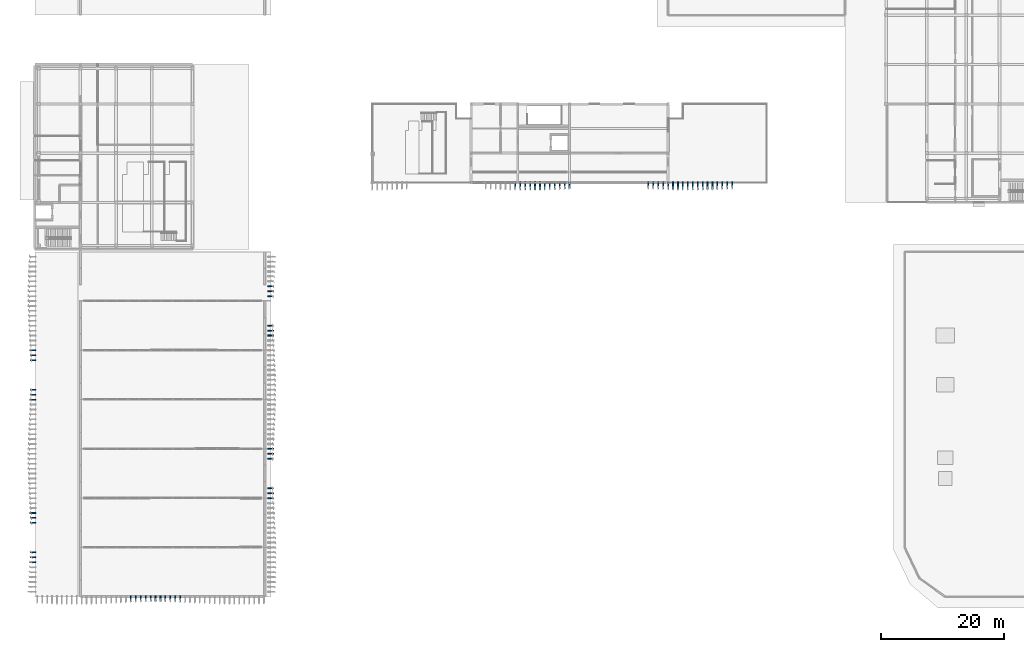
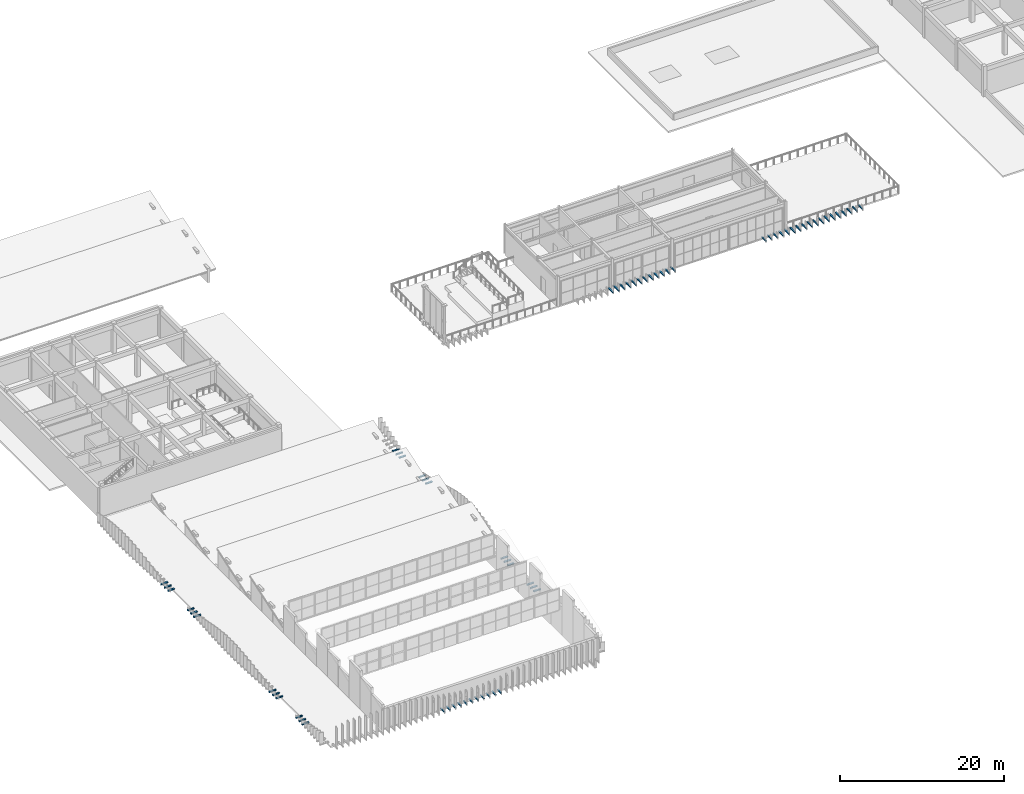
# One storey, part 35 of 45: 65 discrete accessories.
"""IFC4 building model written with IfcOpenShell, lengths in metres."""

from ifc_helpers import new_model, si_unit, direction, frame, origin, origin_2d, place, context, subcontext, project, spatial, rectangle, extrude, material, type_object, element, save


model = new_model("IFC4")

# Units and contexts
model_context = context("Model", 3, precision=1e-05, world=origin(), true_north=direction((0.0, 1.0)))
body_context = subcontext(model_context, "Body", "Model", "MODEL_VIEW")
ifc_project = project(units=[si_unit("LENGTHUNIT", "METRE"), si_unit("AREAUNIT", "SQUARE_METRE"), si_unit("VOLUMEUNIT", "CUBIC_METRE"), si_unit("PLANEANGLEUNIT", "RADIAN"), si_unit("MASSUNIT", "GRAM", prefix="KILO")], contexts=[model_context])

# Site, building, storey
site_placement = place(None, origin())
site = spatial("IfcSite", under=ifc_project, at=site_placement, CompositionType="ELEMENT")
building_placement = place(site_placement, origin())
building = spatial("IfcBuilding", under=site, at=building_placement, Name="Cinchona Park Media Centre", CompositionType="ELEMENT")
storey_placement = place(building_placement, frame((0.0, 0.0, 20.39990234375)))
storey = spatial("IfcBuildingStorey", under=building, at=storey_placement, Name="L04", CompositionType="ELEMENT", Elevation=20.39990234375)

# Discrete accessories
ifc_material = material(Name="Steel S355", Category="steel")
discrete_accessory_type = type_object("IfcDiscreteAccessoryType", Name="BRACKET-BRK01", PredefinedType="BRACKET", material=ifc_material)
discrete_accessory_1_placement = place(storey_placement, frame((7.681884765625, 47.60009765625, 0.0400390625), z_axis=(0.0, 0.0, 1.0), x_axis=(0.0, -1.0, 0.0)))
element("IfcDiscreteAccessory", 1, at=discrete_accessory_1_placement, inside=storey, type_object=discrete_accessory_type, Name="Facade Fin Outrigger Bracket L04", PredefinedType="BRACKET", context=body_context, shape_type="SweptSolid", body=[
    extrude(rectangle(XDim=0.179931640625, YDim=0.9560546875, at=origin_2d()), origin(), (0.0, 0.0, 1.0), 0.159912109375),
])
discrete_accessory_2_placement = place(storey_placement, frame((7.697021484375, 46.800048828125, 0.0400390625), z_axis=(0.0, 0.0, 1.0), x_axis=(0.0, -1.0, 0.0)))
element("IfcDiscreteAccessory", 2, at=discrete_accessory_2_placement, inside=storey, type_object=discrete_accessory_type, Name="Facade Fin Outrigger Bracket L04", PredefinedType="BRACKET", context=body_context, shape_type="SweptSolid", body=[
    extrude(rectangle(XDim=0.179931640625, YDim=0.925048828125, at=origin_2d()), origin(), (0.0, 0.0, 1.0), 0.159912109375),
])
discrete_accessory_3_placement = place(storey_placement, frame((7.7109375, 46.0, 0.0400390625), z_axis=(0.0, 0.0, 1.0), x_axis=(0.0, -1.0, 0.0)))
element("IfcDiscreteAccessory", 3, at=discrete_accessory_3_placement, inside=storey, type_object=discrete_accessory_type, Name="Facade Fin Outrigger Bracket L04", PredefinedType="BRACKET", context=body_context, shape_type="SweptSolid", body=[
    extrude(rectangle(XDim=0.179931640625, YDim=0.89892578125, at=origin_2d()), origin(), (0.0, 0.0, 1.0), 0.159912109375),
])
discrete_accessory_4_placement = place(storey_placement, frame((7.716064453125, 41.199951171875, 0.0400390625), z_axis=(0.0, 0.0, 1.0), x_axis=(0.0, -1.0, 0.0)))
element("IfcDiscreteAccessory", 4, at=discrete_accessory_4_placement, inside=storey, type_object=discrete_accessory_type, Name="Facade Fin Outrigger Bracket L04", PredefinedType="BRACKET", context=body_context, shape_type="SweptSolid", body=[
    extrude(rectangle(XDim=0.179931640625, YDim=0.887939453125, at=origin_2d()), origin(), (0.0, 0.0, 1.0), 0.159912109375),
])
discrete_accessory_5_placement = place(storey_placement, frame((7.7041015625, 40.39990234375, 0.0400390625), z_axis=(0.0, 0.0, 1.0), x_axis=(0.0, -1.0, 0.0)))
element("IfcDiscreteAccessory", 5, at=discrete_accessory_5_placement, inside=storey, type_object=discrete_accessory_type, Name="Facade Fin Outrigger Bracket L04", PredefinedType="BRACKET", context=body_context, shape_type="SweptSolid", body=[
    extrude(rectangle(XDim=0.179931640625, YDim=0.910888671875, at=origin_2d()), origin(), (0.0, 0.0, 1.0), 0.159912109375),
])
discrete_accessory_6_placement = place(storey_placement, frame((7.68994140625, 39.60009765625, 0.0400390625), z_axis=(0.0, 0.0, 1.0), x_axis=(0.0, -1.0, 0.0)))
element("IfcDiscreteAccessory", 6, at=discrete_accessory_6_placement, inside=storey, type_object=discrete_accessory_type, Name="Facade Fin Outrigger Bracket L04", PredefinedType="BRACKET", context=body_context, shape_type="SweptSolid", body=[
    extrude(rectangle(XDim=0.179931640625, YDim=0.93994140625, at=origin_2d()), origin(), (0.0, 0.0, 1.0), 0.159912109375),
])
discrete_accessory_7_placement = place(storey_placement, frame((7.681884765625, 21.199951171875, 0.0400390625), z_axis=(0.0, 0.0, 1.0), x_axis=(0.0, -1.0, 0.0)))
element("IfcDiscreteAccessory", 7, at=discrete_accessory_7_placement, inside=storey, type_object=discrete_accessory_type, Name="Facade Fin Outrigger Bracket L04", PredefinedType="BRACKET", context=body_context, shape_type="SweptSolid", body=[
    extrude(rectangle(XDim=0.179931640625, YDim=0.9560546875, at=origin_2d()), origin(), (0.0, 0.0, 1.0), 0.159912109375),
])
discrete_accessory_8_placement = place(storey_placement, frame((7.697021484375, 20.39990234375, 0.0400390625), z_axis=(0.0, 0.0, 1.0), x_axis=(0.0, -1.0, 0.0)))
element("IfcDiscreteAccessory", 8, at=discrete_accessory_8_placement, inside=storey, type_object=discrete_accessory_type, Name="Facade Fin Outrigger Bracket L04", PredefinedType="BRACKET", context=body_context, shape_type="SweptSolid", body=[
    extrude(rectangle(XDim=0.179931640625, YDim=0.925048828125, at=origin_2d()), origin(), (0.0, 0.0, 1.0), 0.159912109375),
])
discrete_accessory_9_placement = place(storey_placement, frame((7.7109375, 19.60009765625, 0.0400390625), z_axis=(0.0, 0.0, 1.0), x_axis=(0.0, -1.0, 0.0)))
element("IfcDiscreteAccessory", 9, at=discrete_accessory_9_placement, inside=storey, type_object=discrete_accessory_type, Name="Facade Fin Outrigger Bracket L04", PredefinedType="BRACKET", context=body_context, shape_type="SweptSolid", body=[
    extrude(rectangle(XDim=0.179931640625, YDim=0.89892578125, at=origin_2d()), origin(), (0.0, 0.0, 1.0), 0.159912109375),
])
discrete_accessory_10_placement = place(storey_placement, frame((7.716064453125, 14.800048828125, 0.0400390625), z_axis=(0.0, 0.0, 1.0), x_axis=(0.0, -1.0, 0.0)))
element("IfcDiscreteAccessory", 10, at=discrete_accessory_10_placement, inside=storey, type_object=discrete_accessory_type, Name="Facade Fin Outrigger Bracket L04", PredefinedType="BRACKET", context=body_context, shape_type="SweptSolid", body=[
    extrude(rectangle(XDim=0.179931640625, YDim=0.887939453125, at=origin_2d()), origin(), (0.0, 0.0, 1.0), 0.159912109375),
])
discrete_accessory_11_placement = place(storey_placement, frame((7.7041015625, 14.0, 0.0400390625), z_axis=(0.0, 0.0, 1.0), x_axis=(0.0, -1.0, 0.0)))
element("IfcDiscreteAccessory", 11, at=discrete_accessory_11_placement, inside=storey, type_object=discrete_accessory_type, Name="Facade Fin Outrigger Bracket L04", PredefinedType="BRACKET", context=body_context, shape_type="SweptSolid", body=[
    extrude(rectangle(XDim=0.179931640625, YDim=0.910888671875, at=origin_2d()), origin(), (0.0, 0.0, 1.0), 0.159912109375),
])
discrete_accessory_12_placement = place(storey_placement, frame((7.68994140625, 13.199951171875, 0.0400390625), z_axis=(0.0, 0.0, 1.0), x_axis=(0.0, -1.0, 0.0)))
element("IfcDiscreteAccessory", 12, at=discrete_accessory_12_placement, inside=storey, type_object=discrete_accessory_type, Name="Facade Fin Outrigger Bracket L04", PredefinedType="BRACKET", context=body_context, shape_type="SweptSolid", body=[
    extrude(rectangle(XDim=0.179931640625, YDim=0.93994140625, at=origin_2d()), origin(), (0.0, 0.0, 1.0), 0.159912109375),
])
discrete_accessory_13_placement = place(storey_placement, frame((23.60009765625, 7.281982421875, 0.0400390625), z_axis=(0.0, 0.0, 1.0), x_axis=(1.0, 0.0, 0.0)))
element("IfcDiscreteAccessory", 13, at=discrete_accessory_13_placement, inside=storey, type_object=discrete_accessory_type, Name="Facade Fin Outrigger Bracket L04", PredefinedType="BRACKET", context=body_context, shape_type="SweptSolid", body=[
    extrude(rectangle(XDim=0.179931640625, YDim=0.9560546875, at=origin_2d()), origin(), (0.0, 0.0, 1.0), 0.159912109375),
])
discrete_accessory_14_placement = place(storey_placement, frame((24.39990234375, 7.297119140625, 0.0400390625), z_axis=(0.0, 0.0, 1.0), x_axis=(1.0, 0.0, 0.0)))
element("IfcDiscreteAccessory", 14, at=discrete_accessory_14_placement, inside=storey, type_object=discrete_accessory_type, Name="Facade Fin Outrigger Bracket L04", PredefinedType="BRACKET", context=body_context, shape_type="SweptSolid", body=[
    extrude(rectangle(XDim=0.179931640625, YDim=0.925048828125, at=origin_2d()), origin(), (0.0, 0.0, 1.0), 0.159912109375),
])
discrete_accessory_15_placement = place(storey_placement, frame((25.199951171875, 7.31103515625, 0.0400390625), z_axis=(0.0, 0.0, 1.0), x_axis=(1.0, 0.0, 0.0)))
element("IfcDiscreteAccessory", 15, at=discrete_accessory_15_placement, inside=storey, type_object=discrete_accessory_type, Name="Facade Fin Outrigger Bracket L04", PredefinedType="BRACKET", context=body_context, shape_type="SweptSolid", body=[
    extrude(rectangle(XDim=0.179931640625, YDim=0.89892578125, at=origin_2d()), origin(), (0.0, 0.0, 1.0), 0.159912109375),
])
discrete_accessory_16_placement = place(storey_placement, frame((26.0, 7.321044921875, 0.0400390625), z_axis=(0.0, 0.0, 1.0), x_axis=(1.0, 0.0, 0.0)))
element("IfcDiscreteAccessory", 16, at=discrete_accessory_16_placement, inside=storey, type_object=discrete_accessory_type, Name="Facade Fin Outrigger Bracket L04", PredefinedType="BRACKET", context=body_context, shape_type="SweptSolid", body=[
    extrude(rectangle(XDim=0.179931640625, YDim=0.87890625, at=origin_2d()), origin(), (0.0, 0.0, 1.0), 0.159912109375),
])
discrete_accessory_17_placement = place(storey_placement, frame((26.800048828125, 7.326904296875, 0.0400390625), z_axis=(0.0, 0.0, 1.0), x_axis=(1.0, 0.0, 0.0)))
element("IfcDiscreteAccessory", 17, at=discrete_accessory_17_placement, inside=storey, type_object=discrete_accessory_type, Name="Facade Fin Outrigger Bracket L04", PredefinedType="BRACKET", context=body_context, shape_type="SweptSolid", body=[
    extrude(rectangle(XDim=0.179931640625, YDim=0.865966796875, at=origin_2d()), origin(), (0.0, 0.0, 1.0), 0.159912109375),
])
discrete_accessory_18_placement = place(storey_placement, frame((27.60009765625, 7.330078125, 0.0400390625), z_axis=(0.0, 0.0, 1.0), x_axis=(1.0, 0.0, 0.0)))
element("IfcDiscreteAccessory", 18, at=discrete_accessory_18_placement, inside=storey, type_object=discrete_accessory_type, Name="Facade Fin Outrigger Bracket L04", PredefinedType="BRACKET", context=body_context, shape_type="SweptSolid", body=[
    extrude(rectangle(XDim=0.179931640625, YDim=0.860107421875, at=origin_2d()), origin(), (0.0, 0.0, 1.0), 0.159912109375),
])
discrete_accessory_19_placement = place(storey_placement, frame((28.39990234375, 7.3291015625, 0.0400390625), z_axis=(0.0, 0.0, 1.0), x_axis=(1.0, 0.0, 0.0)))
element("IfcDiscreteAccessory", 19, at=discrete_accessory_19_placement, inside=storey, type_object=discrete_accessory_type, Name="Facade Fin Outrigger Bracket L04", PredefinedType="BRACKET", context=body_context, shape_type="SweptSolid", body=[
    extrude(rectangle(XDim=0.179931640625, YDim=0.862060546875, at=origin_2d()), origin(), (0.0, 0.0, 1.0), 0.159912109375),
])
discrete_accessory_20_placement = place(storey_placement, frame((29.199951171875, 7.323974609375, 0.0400390625), z_axis=(0.0, 0.0, 1.0), x_axis=(1.0, 0.0, 0.0)))
element("IfcDiscreteAccessory", 20, at=discrete_accessory_20_placement, inside=storey, type_object=discrete_accessory_type, Name="Facade Fin Outrigger Bracket L04", PredefinedType="BRACKET", context=body_context, shape_type="SweptSolid", body=[
    extrude(rectangle(XDim=0.179931640625, YDim=0.8720703125, at=origin_2d()), origin(), (0.0, 0.0, 1.0), 0.159912109375),
])
discrete_accessory_21_placement = place(storey_placement, frame((30.0, 7.31591796875, 0.0400390625), z_axis=(0.0, 0.0, 1.0), x_axis=(1.0, 0.0, 0.0)))
element("IfcDiscreteAccessory", 21, at=discrete_accessory_21_placement, inside=storey, type_object=discrete_accessory_type, Name="Facade Fin Outrigger Bracket L04", PredefinedType="BRACKET", context=body_context, shape_type="SweptSolid", body=[
    extrude(rectangle(XDim=0.179931640625, YDim=0.887939453125, at=origin_2d()), origin(), (0.0, 0.0, 1.0), 0.159912109375),
])
discrete_accessory_22_placement = place(storey_placement, frame((30.800048828125, 7.303955078125, 0.0400390625), z_axis=(0.0, 0.0, 1.0), x_axis=(1.0, 0.0, 0.0)))
element("IfcDiscreteAccessory", 22, at=discrete_accessory_22_placement, inside=storey, type_object=discrete_accessory_type, Name="Facade Fin Outrigger Bracket L04", PredefinedType="BRACKET", context=body_context, shape_type="SweptSolid", body=[
    extrude(rectangle(XDim=0.179931640625, YDim=0.910888671875, at=origin_2d()), origin(), (0.0, 0.0, 1.0), 0.159912109375),
])
discrete_accessory_23_placement = place(storey_placement, frame((31.60009765625, 7.2900390625, 0.0400390625), z_axis=(0.0, 0.0, 1.0), x_axis=(1.0, 0.0, 0.0)))
element("IfcDiscreteAccessory", 23, at=discrete_accessory_23_placement, inside=storey, type_object=discrete_accessory_type, Name="Facade Fin Outrigger Bracket L04", PredefinedType="BRACKET", context=body_context, shape_type="SweptSolid", body=[
    extrude(rectangle(XDim=0.179931640625, YDim=0.93994140625, at=origin_2d()), origin(), (0.0, 0.0, 1.0), 0.159912109375),
])
discrete_accessory_24_placement = place(storey_placement, frame((46.318115234375, 23.60009765625, 0.0400390625), z_axis=(0.0, 0.0, 1.0), x_axis=(0.0, 1.0, 0.0)))
element("IfcDiscreteAccessory", 24, at=discrete_accessory_24_placement, inside=storey, type_object=discrete_accessory_type, Name="Facade Fin Outrigger Bracket L04", PredefinedType="BRACKET", context=body_context, shape_type="SweptSolid", body=[
    extrude(rectangle(XDim=0.179931640625, YDim=0.9560546875, at=origin_2d()), origin(), (0.0, 0.0, 1.0), 0.159912109375),
])
discrete_accessory_25_placement = place(storey_placement, frame((46.302978515625, 24.39990234375, 0.0400390625), z_axis=(0.0, 0.0, 1.0), x_axis=(0.0, 1.0, 0.0)))
element("IfcDiscreteAccessory", 25, at=discrete_accessory_25_placement, inside=storey, type_object=discrete_accessory_type, Name="Facade Fin Outrigger Bracket L04", PredefinedType="BRACKET", context=body_context, shape_type="SweptSolid", body=[
    extrude(rectangle(XDim=0.179931640625, YDim=0.925048828125, at=origin_2d()), origin(), (0.0, 0.0, 1.0), 0.159912109375),
])
discrete_accessory_26_placement = place(storey_placement, frame((46.2890625, 25.199951171875, 0.0400390625), z_axis=(0.0, 0.0, 1.0), x_axis=(0.0, 1.0, 0.0)))
element("IfcDiscreteAccessory", 26, at=discrete_accessory_26_placement, inside=storey, type_object=discrete_accessory_type, Name="Facade Fin Outrigger Bracket L04", PredefinedType="BRACKET", context=body_context, shape_type="SweptSolid", body=[
    extrude(rectangle(XDim=0.179931640625, YDim=0.89892578125, at=origin_2d()), origin(), (0.0, 0.0, 1.0), 0.159912109375),
])
discrete_accessory_27_placement = place(storey_placement, frame((46.283935546875, 30.0, 0.0400390625), z_axis=(0.0, 0.0, 1.0), x_axis=(0.0, 1.0, 0.0)))
element("IfcDiscreteAccessory", 27, at=discrete_accessory_27_placement, inside=storey, type_object=discrete_accessory_type, Name="Facade Fin Outrigger Bracket L04", PredefinedType="BRACKET", context=body_context, shape_type="SweptSolid", body=[
    extrude(rectangle(XDim=0.179931640625, YDim=0.887939453125, at=origin_2d()), origin(), (0.0, 0.0, 1.0), 0.159912109375),
])
discrete_accessory_28_placement = place(storey_placement, frame((46.2958984375, 30.800048828125, 0.0400390625), z_axis=(0.0, 0.0, 1.0), x_axis=(0.0, 1.0, 0.0)))
element("IfcDiscreteAccessory", 28, at=discrete_accessory_28_placement, inside=storey, type_object=discrete_accessory_type, Name="Facade Fin Outrigger Bracket L04", PredefinedType="BRACKET", context=body_context, shape_type="SweptSolid", body=[
    extrude(rectangle(XDim=0.179931640625, YDim=0.910888671875, at=origin_2d()), origin(), (0.0, 0.0, 1.0), 0.159912109375),
])
discrete_accessory_29_placement = place(storey_placement, frame((46.31005859375, 31.60009765625, 0.0400390625), z_axis=(0.0, 0.0, 1.0), x_axis=(0.0, 1.0, 0.0)))
element("IfcDiscreteAccessory", 29, at=discrete_accessory_29_placement, inside=storey, type_object=discrete_accessory_type, Name="Facade Fin Outrigger Bracket L04", PredefinedType="BRACKET", context=body_context, shape_type="SweptSolid", body=[
    extrude(rectangle(XDim=0.179931640625, YDim=0.93994140625, at=origin_2d()), origin(), (0.0, 0.0, 1.0), 0.159912109375),
])
discrete_accessory_30_placement = place(storey_placement, frame((46.318115234375, 50.0, 0.0400390625), z_axis=(0.0, 0.0, 1.0), x_axis=(0.0, 1.0, 0.0)))
element("IfcDiscreteAccessory", 30, at=discrete_accessory_30_placement, inside=storey, type_object=discrete_accessory_type, Name="Facade Fin Outrigger Bracket L04", PredefinedType="BRACKET", context=body_context, shape_type="SweptSolid", body=[
    extrude(rectangle(XDim=0.179931640625, YDim=0.9560546875, at=origin_2d()), origin(), (0.0, 0.0, 1.0), 0.159912109375),
])
discrete_accessory_31_placement = place(storey_placement, frame((46.302978515625, 50.800048828125, 0.0400390625), z_axis=(0.0, 0.0, 1.0), x_axis=(0.0, 1.0, 0.0)))
element("IfcDiscreteAccessory", 31, at=discrete_accessory_31_placement, inside=storey, type_object=discrete_accessory_type, Name="Facade Fin Outrigger Bracket L04", PredefinedType="BRACKET", context=body_context, shape_type="SweptSolid", body=[
    extrude(rectangle(XDim=0.179931640625, YDim=0.925048828125, at=origin_2d()), origin(), (0.0, 0.0, 1.0), 0.159912109375),
])
discrete_accessory_32_placement = place(storey_placement, frame((46.2890625, 51.60009765625, 0.0400390625), z_axis=(0.0, 0.0, 1.0), x_axis=(0.0, 1.0, 0.0)))
element("IfcDiscreteAccessory", 32, at=discrete_accessory_32_placement, inside=storey, type_object=discrete_accessory_type, Name="Facade Fin Outrigger Bracket L04", PredefinedType="BRACKET", context=body_context, shape_type="SweptSolid", body=[
    extrude(rectangle(XDim=0.179931640625, YDim=0.89892578125, at=origin_2d()), origin(), (0.0, 0.0, 1.0), 0.159912109375),
])
discrete_accessory_33_placement = place(storey_placement, frame((46.283935546875, 56.39990234375, 0.0400390625), z_axis=(0.0, 0.0, 1.0), x_axis=(0.0, 1.0, 0.0)))
element("IfcDiscreteAccessory", 33, at=discrete_accessory_33_placement, inside=storey, type_object=discrete_accessory_type, Name="Facade Fin Outrigger Bracket L04", PredefinedType="BRACKET", context=body_context, shape_type="SweptSolid", body=[
    extrude(rectangle(XDim=0.179931640625, YDim=0.887939453125, at=origin_2d()), origin(), (0.0, 0.0, 1.0), 0.159912109375),
])
discrete_accessory_34_placement = place(storey_placement, frame((46.2958984375, 57.199951171875, 0.0400390625), z_axis=(0.0, 0.0, 1.0), x_axis=(0.0, 1.0, 0.0)))
element("IfcDiscreteAccessory", 34, at=discrete_accessory_34_placement, inside=storey, type_object=discrete_accessory_type, Name="Facade Fin Outrigger Bracket L04", PredefinedType="BRACKET", context=body_context, shape_type="SweptSolid", body=[
    extrude(rectangle(XDim=0.179931640625, YDim=0.910888671875, at=origin_2d()), origin(), (0.0, 0.0, 1.0), 0.159912109375),
])
discrete_accessory_35_placement = place(storey_placement, frame((46.31005859375, 58.0, 0.0400390625), z_axis=(0.0, 0.0, 1.0), x_axis=(0.0, 1.0, 0.0)))
element("IfcDiscreteAccessory", 35, at=discrete_accessory_35_placement, inside=storey, type_object=discrete_accessory_type, Name="Facade Fin Outrigger Bracket L04", PredefinedType="BRACKET", context=body_context, shape_type="SweptSolid", body=[
    extrude(rectangle(XDim=0.179931640625, YDim=0.93994140625, at=origin_2d()), origin(), (0.0, 0.0, 1.0), 0.159912109375),
])
discrete_accessory_36_placement = place(storey_placement, frame((86.0, 74.333984375, 0.0400390625), z_axis=(0.0, 0.0, 1.0), x_axis=(1.0, 0.0, 0.0)))
element("IfcDiscreteAccessory", 36, at=discrete_accessory_36_placement, inside=storey, type_object=discrete_accessory_type, Name="Facade Fin Outrigger Bracket L04", PredefinedType="BRACKET", context=body_context, shape_type="SweptSolid", body=[
    extrude(rectangle(XDim=0.179931640625, YDim=1.251953125, at=origin_2d()), origin(), (0.0, 0.0, 1.0), 0.159912109375),
])
discrete_accessory_37_placement = place(storey_placement, frame((86.800048828125, 74.325927734375, 0.0400390625), z_axis=(0.0, 0.0, 1.0), x_axis=(1.0, 0.0, 0.0)))
element("IfcDiscreteAccessory", 37, at=discrete_accessory_37_placement, inside=storey, type_object=discrete_accessory_type, Name="Facade Fin Outrigger Bracket L04", PredefinedType="BRACKET", context=body_context, shape_type="SweptSolid", body=[
    extrude(rectangle(XDim=0.179931640625, YDim=1.26806640625, at=origin_2d()), origin(), (0.0, 0.0, 1.0), 0.159912109375),
])
discrete_accessory_38_placement = place(storey_placement, frame((87.60009765625, 74.321044921875, 0.0400390625), z_axis=(0.0, 0.0, 1.0), x_axis=(1.0, 0.0, 0.0)))
element("IfcDiscreteAccessory", 38, at=discrete_accessory_38_placement, inside=storey, type_object=discrete_accessory_type, Name="Facade Fin Outrigger Bracket L04", PredefinedType="BRACKET", context=body_context, shape_type="SweptSolid", body=[
    extrude(rectangle(XDim=0.179931640625, YDim=1.278076171875, at=origin_2d()), origin(), (0.0, 0.0, 1.0), 0.159912109375),
])
discrete_accessory_39_placement = place(storey_placement, frame((88.39990234375, 74.320068359375, 0.0400390625), z_axis=(0.0, 0.0, 1.0), x_axis=(1.0, 0.0, 0.0)))
element("IfcDiscreteAccessory", 39, at=discrete_accessory_39_placement, inside=storey, type_object=discrete_accessory_type, Name="Facade Fin Outrigger Bracket L04", PredefinedType="BRACKET", context=body_context, shape_type="SweptSolid", body=[
    extrude(rectangle(XDim=0.179931640625, YDim=1.280029296875, at=origin_2d()), origin(), (0.0, 0.0, 1.0), 0.159912109375),
])
discrete_accessory_40_placement = place(storey_placement, frame((89.199951171875, 74.322998046875, 0.0400390625), z_axis=(0.0, 0.0, 1.0), x_axis=(1.0, 0.0, 0.0)))
element("IfcDiscreteAccessory", 40, at=discrete_accessory_40_placement, inside=storey, type_object=discrete_accessory_type, Name="Facade Fin Outrigger Bracket L04", PredefinedType="BRACKET", context=body_context, shape_type="SweptSolid", body=[
    extrude(rectangle(XDim=0.179931640625, YDim=1.27392578125, at=origin_2d()), origin(), (0.0, 0.0, 1.0), 0.159912109375),
])
discrete_accessory_41_placement = place(storey_placement, frame((90.0, 74.3291015625, 0.0400390625), z_axis=(0.0, 0.0, 1.0), x_axis=(1.0, 0.0, 0.0)))
element("IfcDiscreteAccessory", 41, at=discrete_accessory_41_placement, inside=storey, type_object=discrete_accessory_type, Name="Facade Fin Outrigger Bracket L04", PredefinedType="BRACKET", context=body_context, shape_type="SweptSolid", body=[
    extrude(rectangle(XDim=0.179931640625, YDim=1.260986328125, at=origin_2d()), origin(), (0.0, 0.0, 1.0), 0.159912109375),
])
discrete_accessory_42_placement = place(storey_placement, frame((90.800048828125, 74.339111328125, 0.0400390625), z_axis=(0.0, 0.0, 1.0), x_axis=(1.0, 0.0, 0.0)))
element("IfcDiscreteAccessory", 42, at=discrete_accessory_42_placement, inside=storey, type_object=discrete_accessory_type, Name="Facade Fin Outrigger Bracket L04", PredefinedType="BRACKET", context=body_context, shape_type="SweptSolid", body=[
    extrude(rectangle(XDim=0.179931640625, YDim=1.240966796875, at=origin_2d()), origin(), (0.0, 0.0, 1.0), 0.159912109375),
])
discrete_accessory_43_placement = place(storey_placement, frame((91.60009765625, 74.35302734375, 0.0400390625), z_axis=(0.0, 0.0, 1.0), x_axis=(1.0, 0.0, 0.0)))
element("IfcDiscreteAccessory", 43, at=discrete_accessory_43_placement, inside=storey, type_object=discrete_accessory_type, Name="Facade Fin Outrigger Bracket L04", PredefinedType="BRACKET", context=body_context, shape_type="SweptSolid", body=[
    extrude(rectangle(XDim=0.179931640625, YDim=1.215087890625, at=origin_2d()), origin(), (0.0, 0.0, 1.0), 0.159912109375),
])
discrete_accessory_44_placement = place(storey_placement, frame((92.39990234375, 74.367919921875, 0.0400390625), z_axis=(0.0, 0.0, 1.0), x_axis=(1.0, 0.0, 0.0)))
element("IfcDiscreteAccessory", 44, at=discrete_accessory_44_placement, inside=storey, type_object=discrete_accessory_type, Name="Facade Fin Outrigger Bracket L04", PredefinedType="BRACKET", context=body_context, shape_type="SweptSolid", body=[
    extrude(rectangle(XDim=0.179931640625, YDim=1.18408203125, at=origin_2d()), origin(), (0.0, 0.0, 1.0), 0.159912109375),
])
discrete_accessory_45_placement = place(storey_placement, frame((93.199951171875, 74.385986328125, 0.0400390625), z_axis=(0.0, 0.0, 1.0), x_axis=(1.0, 0.0, 0.0)))
element("IfcDiscreteAccessory", 45, at=discrete_accessory_45_placement, inside=storey, type_object=discrete_accessory_type, Name="Facade Fin Outrigger Bracket L04", PredefinedType="BRACKET", context=body_context, shape_type="SweptSolid", body=[
    extrude(rectangle(XDim=0.179931640625, YDim=1.14794921875, at=origin_2d()), origin(), (0.0, 0.0, 1.0), 0.159912109375),
])
discrete_accessory_46_placement = place(storey_placement, frame((94.0, 74.405029296875, 0.0400390625), z_axis=(0.0, 0.0, 1.0), x_axis=(1.0, 0.0, 0.0)))
element("IfcDiscreteAccessory", 46, at=discrete_accessory_46_placement, inside=storey, type_object=discrete_accessory_type, Name="Facade Fin Outrigger Bracket L04", PredefinedType="BRACKET", context=body_context, shape_type="SweptSolid", body=[
    extrude(rectangle(XDim=0.179931640625, YDim=1.110107421875, at=origin_2d()), origin(), (0.0, 0.0, 1.0), 0.159912109375),
])
discrete_accessory_47_placement = place(storey_placement, frame((94.800048828125, 74.425048828125, 0.0400390625), z_axis=(0.0, 0.0, 1.0), x_axis=(1.0, 0.0, 0.0)))
element("IfcDiscreteAccessory", 47, at=discrete_accessory_47_placement, inside=storey, type_object=discrete_accessory_type, Name="Facade Fin Outrigger Bracket L04", PredefinedType="BRACKET", context=body_context, shape_type="SweptSolid", body=[
    extrude(rectangle(XDim=0.179931640625, YDim=1.070068359375, at=origin_2d()), origin(), (0.0, 0.0, 1.0), 0.159912109375),
])
discrete_accessory_48_placement = place(storey_placement, frame((107.60009765625, 74.43505859375, 0.0400390625), z_axis=(0.0, 0.0, 1.0), x_axis=(1.0, 0.0, 0.0)))
element("IfcDiscreteAccessory", 48, at=discrete_accessory_48_placement, inside=storey, type_object=discrete_accessory_type, Name="Facade Fin Outrigger Bracket L04", PredefinedType="BRACKET", context=body_context, shape_type="SweptSolid", body=[
    extrude(rectangle(XDim=0.179931640625, YDim=1.050048828125, at=origin_2d()), origin(), (0.0, 0.0, 1.0), 0.159912109375),
])
discrete_accessory_49_placement = place(storey_placement, frame((108.39990234375, 74.4150390625, 0.0400390625), z_axis=(0.0, 0.0, 1.0), x_axis=(1.0, 0.0, 0.0)))
element("IfcDiscreteAccessory", 49, at=discrete_accessory_49_placement, inside=storey, type_object=discrete_accessory_type, Name="Facade Fin Outrigger Bracket L04", PredefinedType="BRACKET", context=body_context, shape_type="SweptSolid", body=[
    extrude(rectangle(XDim=0.179931640625, YDim=1.090087890625, at=origin_2d()), origin(), (0.0, 0.0, 1.0), 0.159912109375),
])
discrete_accessory_50_placement = place(storey_placement, frame((109.199951171875, 74.39501953125, 0.0400390625), z_axis=(0.0, 0.0, 1.0), x_axis=(1.0, 0.0, 0.0)))
element("IfcDiscreteAccessory", 50, at=discrete_accessory_50_placement, inside=storey, type_object=discrete_accessory_type, Name="Facade Fin Outrigger Bracket L04", PredefinedType="BRACKET", context=body_context, shape_type="SweptSolid", body=[
    extrude(rectangle(XDim=0.179931640625, YDim=1.12890625, at=origin_2d()), origin(), (0.0, 0.0, 1.0), 0.159912109375),
])
discrete_accessory_51_placement = place(storey_placement, frame((110.0, 74.376953125, 0.0400390625), z_axis=(0.0, 0.0, 1.0), x_axis=(1.0, 0.0, 0.0)))
element("IfcDiscreteAccessory", 51, at=discrete_accessory_51_placement, inside=storey, type_object=discrete_accessory_type, Name="Facade Fin Outrigger Bracket L04", PredefinedType="BRACKET", context=body_context, shape_type="SweptSolid", body=[
    extrude(rectangle(XDim=0.179931640625, YDim=1.166015625, at=origin_2d()), origin(), (0.0, 0.0, 1.0), 0.159912109375),
])
discrete_accessory_52_placement = place(storey_placement, frame((110.800048828125, 74.360107421875, 0.0400390625), z_axis=(0.0, 0.0, 1.0), x_axis=(1.0, 0.0, 0.0)))
element("IfcDiscreteAccessory", 52, at=discrete_accessory_52_placement, inside=storey, type_object=discrete_accessory_type, Name="Facade Fin Outrigger Bracket L04", PredefinedType="BRACKET", context=body_context, shape_type="SweptSolid", body=[
    extrude(rectangle(XDim=0.179931640625, YDim=1.199951171875, at=origin_2d()), origin(), (0.0, 0.0, 1.0), 0.159912109375),
])
discrete_accessory_53_placement = place(storey_placement, frame((111.60009765625, 74.345947265625, 0.0400390625), z_axis=(0.0, 0.0, 1.0), x_axis=(1.0, 0.0, 0.0)))
element("IfcDiscreteAccessory", 53, at=discrete_accessory_53_placement, inside=storey, type_object=discrete_accessory_type, Name="Facade Fin Outrigger Bracket L04", PredefinedType="BRACKET", context=body_context, shape_type="SweptSolid", body=[
    extrude(rectangle(XDim=0.179931640625, YDim=1.22900390625, at=origin_2d()), origin(), (0.0, 0.0, 1.0), 0.159912109375),
])
discrete_accessory_54_placement = place(storey_placement, frame((112.39990234375, 74.333984375, 0.0400390625), z_axis=(0.0, 0.0, 1.0), x_axis=(1.0, 0.0, 0.0)))
element("IfcDiscreteAccessory", 54, at=discrete_accessory_54_placement, inside=storey, type_object=discrete_accessory_type, Name="Facade Fin Outrigger Bracket L04", PredefinedType="BRACKET", context=body_context, shape_type="SweptSolid", body=[
    extrude(rectangle(XDim=0.179931640625, YDim=1.251953125, at=origin_2d()), origin(), (0.0, 0.0, 1.0), 0.159912109375),
])
discrete_accessory_55_placement = place(storey_placement, frame((113.199951171875, 74.325927734375, 0.0400390625), z_axis=(0.0, 0.0, 1.0), x_axis=(1.0, 0.0, 0.0)))
element("IfcDiscreteAccessory", 55, at=discrete_accessory_55_placement, inside=storey, type_object=discrete_accessory_type, Name="Facade Fin Outrigger Bracket L04", PredefinedType="BRACKET", context=body_context, shape_type="SweptSolid", body=[
    extrude(rectangle(XDim=0.179931640625, YDim=1.26806640625, at=origin_2d()), origin(), (0.0, 0.0, 1.0), 0.159912109375),
])
discrete_accessory_56_placement = place(storey_placement, frame((114.0, 74.321044921875, 0.0400390625), z_axis=(0.0, 0.0, 1.0), x_axis=(1.0, 0.0, 0.0)))
element("IfcDiscreteAccessory", 56, at=discrete_accessory_56_placement, inside=storey, type_object=discrete_accessory_type, Name="Facade Fin Outrigger Bracket L04", PredefinedType="BRACKET", context=body_context, shape_type="SweptSolid", body=[
    extrude(rectangle(XDim=0.179931640625, YDim=1.278076171875, at=origin_2d()), origin(), (0.0, 0.0, 1.0), 0.159912109375),
])
discrete_accessory_57_placement = place(storey_placement, frame((114.800048828125, 74.320068359375, 0.0400390625), z_axis=(0.0, 0.0, 1.0), x_axis=(1.0, 0.0, 0.0)))
element("IfcDiscreteAccessory", 57, at=discrete_accessory_57_placement, inside=storey, type_object=discrete_accessory_type, Name="Facade Fin Outrigger Bracket L04", PredefinedType="BRACKET", context=body_context, shape_type="SweptSolid", body=[
    extrude(rectangle(XDim=0.179931640625, YDim=1.280029296875, at=origin_2d()), origin(), (0.0, 0.0, 1.0), 0.159912109375),
])
discrete_accessory_58_placement = place(storey_placement, frame((115.60009765625, 74.322998046875, 0.0400390625), z_axis=(0.0, 0.0, 1.0), x_axis=(1.0, 0.0, 0.0)))
element("IfcDiscreteAccessory", 58, at=discrete_accessory_58_placement, inside=storey, type_object=discrete_accessory_type, Name="Facade Fin Outrigger Bracket L04", PredefinedType="BRACKET", context=body_context, shape_type="SweptSolid", body=[
    extrude(rectangle(XDim=0.179931640625, YDim=1.27392578125, at=origin_2d()), origin(), (0.0, 0.0, 1.0), 0.159912109375),
])
discrete_accessory_59_placement = place(storey_placement, frame((116.39990234375, 74.3291015625, 0.0400390625), z_axis=(0.0, 0.0, 1.0), x_axis=(1.0, 0.0, 0.0)))
element("IfcDiscreteAccessory", 59, at=discrete_accessory_59_placement, inside=storey, type_object=discrete_accessory_type, Name="Facade Fin Outrigger Bracket L04", PredefinedType="BRACKET", context=body_context, shape_type="SweptSolid", body=[
    extrude(rectangle(XDim=0.179931640625, YDim=1.260986328125, at=origin_2d()), origin(), (0.0, 0.0, 1.0), 0.159912109375),
])
discrete_accessory_60_placement = place(storey_placement, frame((117.199951171875, 74.339111328125, 0.0400390625), z_axis=(0.0, 0.0, 1.0), x_axis=(1.0, 0.0, 0.0)))
element("IfcDiscreteAccessory", 60, at=discrete_accessory_60_placement, inside=storey, type_object=discrete_accessory_type, Name="Facade Fin Outrigger Bracket L04", PredefinedType="BRACKET", context=body_context, shape_type="SweptSolid", body=[
    extrude(rectangle(XDim=0.179931640625, YDim=1.240966796875, at=origin_2d()), origin(), (0.0, 0.0, 1.0), 0.159912109375),
])
discrete_accessory_61_placement = place(storey_placement, frame((118.0, 74.35302734375, 0.0400390625), z_axis=(0.0, 0.0, 1.0), x_axis=(1.0, 0.0, 0.0)))
element("IfcDiscreteAccessory", 61, at=discrete_accessory_61_placement, inside=storey, type_object=discrete_accessory_type, Name="Facade Fin Outrigger Bracket L04", PredefinedType="BRACKET", context=body_context, shape_type="SweptSolid", body=[
    extrude(rectangle(XDim=0.179931640625, YDim=1.215087890625, at=origin_2d()), origin(), (0.0, 0.0, 1.0), 0.159912109375),
])
discrete_accessory_62_placement = place(storey_placement, frame((118.800048828125, 74.367919921875, 0.0400390625), z_axis=(0.0, 0.0, 1.0), x_axis=(1.0, 0.0, 0.0)))
element("IfcDiscreteAccessory", 62, at=discrete_accessory_62_placement, inside=storey, type_object=discrete_accessory_type, Name="Facade Fin Outrigger Bracket L04", PredefinedType="BRACKET", context=body_context, shape_type="SweptSolid", body=[
    extrude(rectangle(XDim=0.179931640625, YDim=1.18408203125, at=origin_2d()), origin(), (0.0, 0.0, 1.0), 0.159912109375),
])
discrete_accessory_63_placement = place(storey_placement, frame((119.60009765625, 74.385986328125, 0.0400390625), z_axis=(0.0, 0.0, 1.0), x_axis=(1.0, 0.0, 0.0)))
element("IfcDiscreteAccessory", 63, at=discrete_accessory_63_placement, inside=storey, type_object=discrete_accessory_type, Name="Facade Fin Outrigger Bracket L04", PredefinedType="BRACKET", context=body_context, shape_type="SweptSolid", body=[
    extrude(rectangle(XDim=0.179931640625, YDim=1.14794921875, at=origin_2d()), origin(), (0.0, 0.0, 1.0), 0.159912109375),
])
discrete_accessory_64_placement = place(storey_placement, frame((120.39990234375, 74.405029296875, 0.0400390625), z_axis=(0.0, 0.0, 1.0), x_axis=(1.0, 0.0, 0.0)))
element("IfcDiscreteAccessory", 64, at=discrete_accessory_64_placement, inside=storey, type_object=discrete_accessory_type, Name="Facade Fin Outrigger Bracket L04", PredefinedType="BRACKET", context=body_context, shape_type="SweptSolid", body=[
    extrude(rectangle(XDim=0.179931640625, YDim=1.110107421875, at=origin_2d()), origin(), (0.0, 0.0, 1.0), 0.159912109375),
])
discrete_accessory_65_placement = place(storey_placement, frame((121.199951171875, 74.425048828125, 0.0400390625), z_axis=(0.0, 0.0, 1.0), x_axis=(1.0, 0.0, 0.0)))
element("IfcDiscreteAccessory", 65, at=discrete_accessory_65_placement, inside=storey, type_object=discrete_accessory_type, Name="Facade Fin Outrigger Bracket L04", PredefinedType="BRACKET", context=body_context, shape_type="SweptSolid", body=[
    extrude(rectangle(XDim=0.179931640625, YDim=1.070068359375, at=origin_2d()), origin(), (0.0, 0.0, 1.0), 0.159912109375),
])

save(model, "model.ifc")
